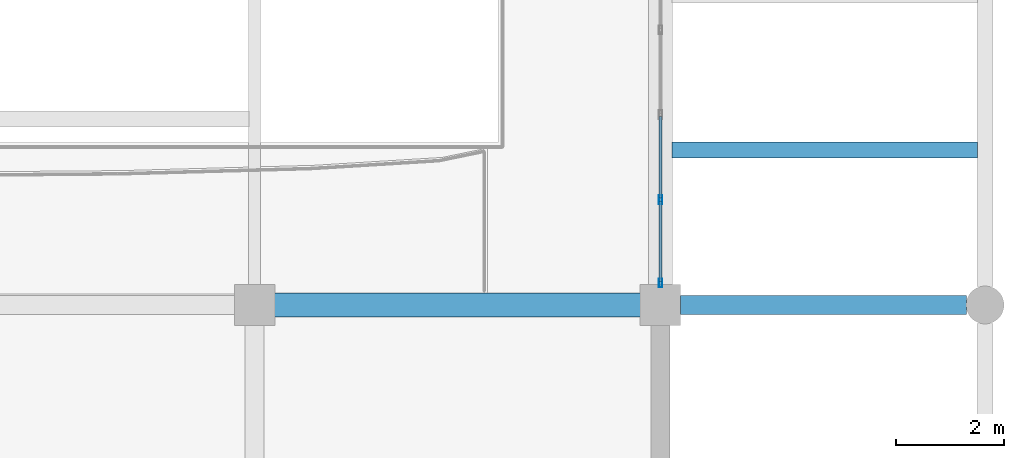
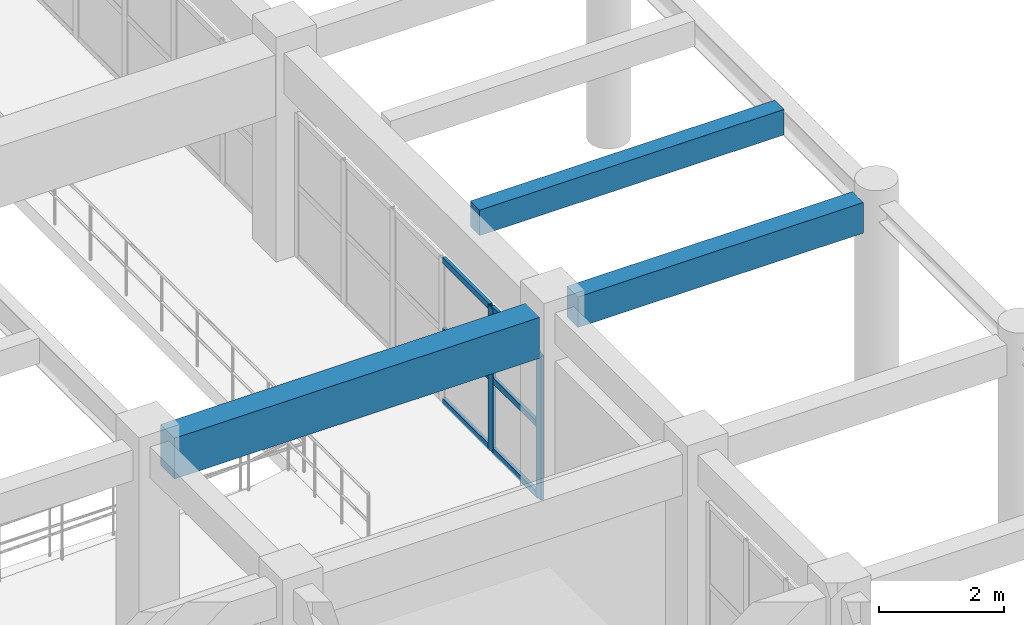
# One storey, part 76 of 116: 8 members, 3 beams, 1 element without a shape of its own.
"""IFC4 building model written with IfcOpenShell, lengths in metres."""

from ifc_helpers import new_model, si_unit, direction, frame, origin, origin_2d, place, context, subcontext, project, spatial, rectangle, hollow_rectangle, extrude, material, layer, layer_set, material_profile, profile_set, type_object, element, aggregate, save


model = new_model("IFC4")

# Units and contexts
model_context = context("Model", 3, precision=1e-05, world=origin(), true_north=direction((0.0, 1.0)))
body_context = subcontext(model_context, "Body", "Model", "MODEL_VIEW")
ifc_project = project(units=[si_unit("LENGTHUNIT", "METRE"), si_unit("AREAUNIT", "SQUARE_METRE"), si_unit("VOLUMEUNIT", "CUBIC_METRE"), si_unit("PLANEANGLEUNIT", "RADIAN"), si_unit("MASSUNIT", "GRAM", prefix="KILO")], contexts=[model_context])

# Site, building, storey
site_placement = place(None, origin())
site = spatial("IfcSite", under=ifc_project, at=site_placement, CompositionType="ELEMENT")
building_placement = place(site_placement, origin())
building = spatial("IfcBuilding", under=site, at=building_placement, Name="Muzn Square Opera House", CompositionType="ELEMENT")
storey_placement = place(building_placement, frame((0.0, 0.0, 5.39990234375)))
storey = spatial("IfcBuildingStorey", under=building, at=storey_placement, Name="L01", CompositionType="ELEMENT", Elevation=5.39990234375)

# Curtain wall, members
ifc_material_1 = material(Name="Low-E laminated acoustic double glazing", Category="glass")
ifc_layer = layer(ifc_material_1, 0.159912109375, Name="Low-E laminated acoustic double glazing", Category="glass")
ifc_layer_set = layer_set([ifc_layer], Name="Low-E laminated acoustic double glazing")
curtain_wall_type = type_object("IfcCurtainWallType", Name="Glazed Curtain Wall EastBlvd 7850x2820", PredefinedType="USERDEFINED", material=ifc_layer_set)
curtain_wall_placement = place(storey_placement, origin())
curtain_wall = element("IfcCurtainWall", 1, at=curtain_wall_placement, inside=storey, type_object=curtain_wall_type, Name="Glazed Curtain Wall CW-L01-119", ObjectType="GLAZED CURTAIN WALL", PredefinedType="USERDEFINED")
ifc_material_2 = material(Name="Anodised bronze aluminium 6063-T6", Category="metal")
ifc_material_profile_1 = material_profile(ifc_material_2, hollow_rectangle(XDim=0.06005859375, YDim=0.159912109375, WallThickness=0.00390625, at=origin_2d()), Name="ALU 160x60x4", Category="metal")
ifc_profile_set_1 = profile_set([ifc_material_profile_1], Name="Anodised bronze aluminium 6063-T6")
member_type_1 = type_object("IfcMemberType", Name="Curtain Wall Mullion 160x60", PredefinedType="MULLION", material=ifc_profile_set_1)
member_1_placement = place(storey_placement, frame((170.0, 73.0048828125, 0.0), z_axis=(0.0, 0.0, 1.0), x_axis=(-1.0, 0.0, 0.0)))
member_1 = element("IfcMember", 2, at=member_1_placement, type_object=member_type_1, Name="CW-EBL-78x28 mullion 1", PredefinedType="MULLION", context=body_context, shape_type="SweptSolid", body=[
    extrude(hollow_rectangle(XDim=0.06005859375, YDim=0.159912109375, WallThickness=0.00390625, at=origin_2d()), origin(), (0.0, 0.0, 1.0), 2.820068359375),
])
member_2_placement = place(storey_placement, frame((170.0, 74.544921875, 0.0), z_axis=(0.0, 0.0, 1.0), x_axis=(-1.0, 0.0, 0.0)))
member_2 = element("IfcMember", 3, at=member_2_placement, type_object=member_type_1, Name="CW-EBL-78x28 mullion 2", PredefinedType="MULLION", context=body_context, shape_type="SweptSolid", body=[
    extrude(hollow_rectangle(XDim=0.06005859375, YDim=0.159912109375, WallThickness=0.00390625, at=origin_2d()), origin(), (0.0, 0.0, 1.0), 2.820068359375),
])
ifc_material_profile_2 = material_profile(ifc_material_2, hollow_rectangle(XDim=0.06005859375, YDim=0.1201171875, WallThickness=0.00390625, at=origin_2d()), Name="ALU 120x60x4", Category="metal")
ifc_profile_set_2 = profile_set([ifc_material_profile_2], Name="Anodised bronze aluminium 6063-T6")
member_type_2 = type_object("IfcMemberType", Name="Curtain Wall Transom 120x60", PredefinedType="USERDEFINED", material=ifc_profile_set_2)
member_3_placement = place(storey_placement, frame((170.0, 73.034912109375, 0.030029296875), z_axis=(0.0, 1.0, 0.0), x_axis=(-1.0, 0.0, 0.0)))
member_3 = element("IfcMember", 4, at=member_3_placement, type_object=member_type_2, Name="CW-EBL-78x28 transom 1.1", ObjectType="TRANSOM", PredefinedType="USERDEFINED", context=body_context, shape_type="SweptSolid", body=[
    extrude(hollow_rectangle(XDim=0.06005859375, YDim=0.1201171875, WallThickness=0.00390625, at=origin_2d()), origin(), (0.0, 0.0, 1.0), 1.47998046875),
])
member_4_placement = place(storey_placement, frame((170.0, 73.034912109375, 1.41015625), z_axis=(0.0, 1.0, 0.0), x_axis=(-1.0, 0.0, 0.0)))
member_4 = element("IfcMember", 5, at=member_4_placement, type_object=member_type_2, Name="CW-EBL-78x28 transom 1.2", ObjectType="TRANSOM", PredefinedType="USERDEFINED", context=body_context, shape_type="SweptSolid", body=[
    extrude(hollow_rectangle(XDim=0.06005859375, YDim=0.1201171875, WallThickness=0.00390625, at=origin_2d()), origin(), (0.0, 0.0, 1.0), 1.47998046875),
])
member_5_placement = place(storey_placement, frame((170.0, 73.034912109375, 2.7900390625), z_axis=(0.0, 1.0, 0.0), x_axis=(-1.0, 0.0, 0.0)))
member_5 = element("IfcMember", 6, at=member_5_placement, type_object=member_type_2, Name="CW-EBL-78x28 transom 1.3", ObjectType="TRANSOM", PredefinedType="USERDEFINED", context=body_context, shape_type="SweptSolid", body=[
    extrude(hollow_rectangle(XDim=0.06005859375, YDim=0.1201171875, WallThickness=0.00390625, at=origin_2d()), origin(), (0.0, 0.0, 1.0), 1.47998046875),
])
member_6_placement = place(storey_placement, frame((170.0, 74.574951171875, 0.030029296875), z_axis=(0.0, 1.0, 0.0), x_axis=(-1.0, 0.0, 0.0)))
member_6 = element("IfcMember", 7, at=member_6_placement, type_object=member_type_2, Name="CW-EBL-78x28 transom 2.1", ObjectType="TRANSOM", PredefinedType="USERDEFINED", context=body_context, shape_type="SweptSolid", body=[
    extrude(hollow_rectangle(XDim=0.06005859375, YDim=0.1201171875, WallThickness=0.00390625, at=origin_2d()), origin(), (0.0, 0.0, 1.0), 1.510009765625),
])
member_7_placement = place(storey_placement, frame((170.0, 74.574951171875, 1.41015625), z_axis=(0.0, 1.0, 0.0), x_axis=(-1.0, 0.0, 0.0)))
member_7 = element("IfcMember", 8, at=member_7_placement, type_object=member_type_2, Name="CW-EBL-78x28 transom 2.2", ObjectType="TRANSOM", PredefinedType="USERDEFINED", context=body_context, shape_type="SweptSolid", body=[
    extrude(hollow_rectangle(XDim=0.06005859375, YDim=0.1201171875, WallThickness=0.00390625, at=origin_2d()), origin(), (0.0, 0.0, 1.0), 1.510009765625),
])
member_8_placement = place(storey_placement, frame((170.0, 74.574951171875, 2.7900390625), z_axis=(0.0, 1.0, 0.0), x_axis=(-1.0, 0.0, 0.0)))
member_8 = element("IfcMember", 9, at=member_8_placement, type_object=member_type_2, Name="CW-EBL-78x28 transom 2.3", ObjectType="TRANSOM", PredefinedType="USERDEFINED", context=body_context, shape_type="SweptSolid", body=[
    extrude(hollow_rectangle(XDim=0.06005859375, YDim=0.1201171875, WallThickness=0.00390625, at=origin_2d()), origin(), (0.0, 0.0, 1.0), 1.510009765625),
])
aggregate(curtain_wall, [member_1, member_2, member_3, member_4, member_5, member_6, member_7, member_8])

# Beams
ifc_material_3 = material(Name="Concrete C40/50", Category="concrete")
ifc_material_profile_3 = material_profile(ifc_material_3, rectangle(XDim=0.300048828125, YDim=0.5, at=origin_2d()), Name="RCJ 300x500", Category="concrete")
ifc_profile_set_3 = profile_set([ifc_material_profile_3], Name="Concrete C40/50")
beam_type_1 = type_object("IfcBeamType", Name="Floor Joist 300x500", PredefinedType="JOIST", material=ifc_profile_set_3)
beam_1_placement = place(storey_placement, frame((170.217041015625, 75.466796875, 3.900146484375), z_axis=(1.0, 0.0, 0.0), x_axis=(0.0, 1.0, 0.0)))
element("IfcBeam", 10, at=beam_1_placement, inside=storey, type_object=beam_type_1, Name="Floor Joist BM-L01-BM-J500-1702_755_1759_755-1934", PredefinedType="JOIST", context=body_context, shape_type="SweptSolid", body=[
    extrude(rectangle(XDim=0.300048828125, YDim=0.5, at=origin_2d()), origin(), (0.0, 0.0, 1.0), 5.640869140625),
])
ifc_material_profile_4 = material_profile(ifc_material_3, rectangle(XDim=0.35009765625, YDim=0.60009765625, at=origin_2d()), Name="RCB 350x600", Category="concrete")
ifc_profile_set_4 = profile_set([ifc_material_profile_4], Name="Concrete C40/50")
beam_type_2 = type_object("IfcBeamType", Name="Primary Girder 350x600", PredefinedType="BEAM", material=ifc_profile_set_4)
beam_2_placement = place(storey_placement, frame((170.366943359375, 72.60009765625, 3.85009765625), z_axis=(1.0, 0.0, 0.0), x_axis=(0.0, 1.0, 0.0)))
element("IfcBeam", 11, at=beam_2_placement, inside=storey, type_object=beam_type_2, Name="Primary Girder BM-L01-BM-PG600-1704_726_1757_726-1449", PredefinedType="BEAM", context=body_context, shape_type="SweptSolid", body=[
    extrude(rectangle(XDim=0.35009765625, YDim=0.60009765625, at=origin_2d()), origin(), (0.0, 0.0, 1.0), 5.291015625),
])
ifc_material_profile_5 = material_profile(ifc_material_3, rectangle(XDim=0.449951171875, YDim=0.800048828125, at=origin_2d()), Name="RCB 450x800", Category="concrete")
ifc_profile_set_5 = profile_set([ifc_material_profile_5], Name="Concrete C40/50")
beam_type_3 = type_object("IfcBeamType", Name="Primary Girder 450x800", PredefinedType="BEAM", material=ifc_profile_set_5)
beam_3_placement = place(storey_placement, frame((162.866943359375, 72.60009765625, 3.64013671875), z_axis=(1.0, 0.0, 0.0), x_axis=(0.0, 1.0, 0.0)))
element("IfcBeam", 12, at=beam_3_placement, inside=storey, type_object=beam_type_3, Name="Primary Girder BM-L01-BM-PG800-1629_726_1696_726-1448", PredefinedType="BEAM", context=body_context, shape_type="SweptSolid", body=[
    extrude(rectangle(XDim=0.449951171875, YDim=0.800048828125, at=origin_2d()), origin(), (0.0, 0.0, 1.0), 6.76611328125),
])

save(model, "model.ifc")
